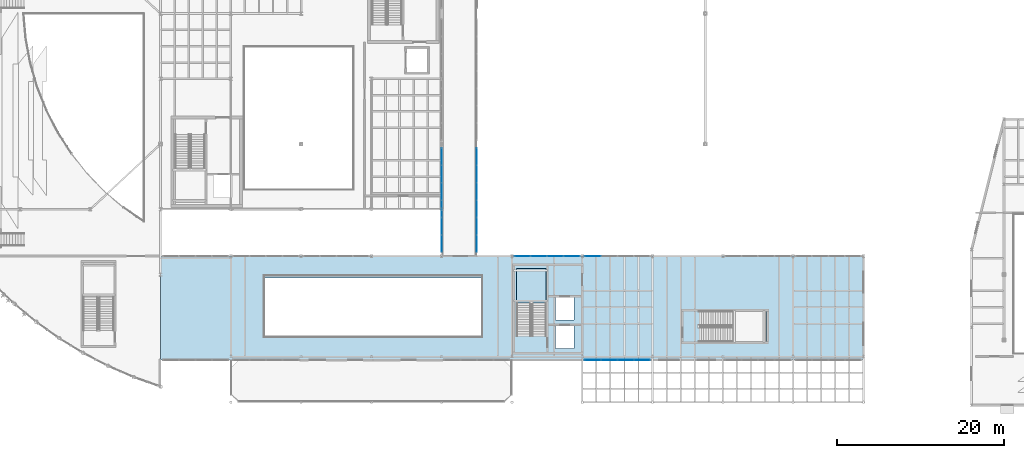
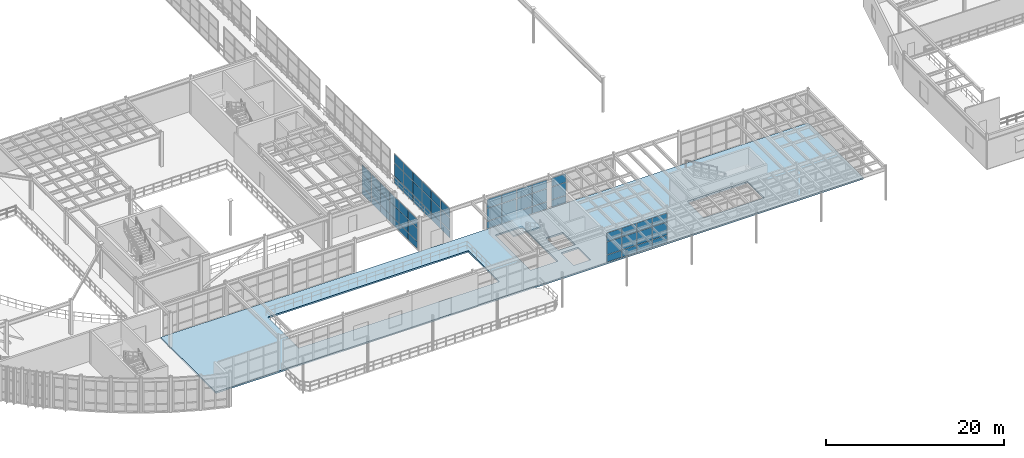
# One storey, part 84 of 116: 63 plates, 2 slabs, 6 elements without a shape of their own.
"""IFC4 building model written with IfcOpenShell, lengths in metres."""

from ifc_helpers import new_model, si_unit, direction, frame, origin, origin_2d, place, context, subcontext, project, spatial, polyline, rectangle, outline, extrude, material, layer, layer_set, type_object, element, aggregate, save


model = new_model("IFC4")

# Units and contexts
model_context = context("Model", 3, precision=1e-05, world=origin(), true_north=direction((0.0, 1.0)))
body_context = subcontext(model_context, "Body", "Model", "MODEL_VIEW")
ifc_project = project(units=[si_unit("LENGTHUNIT", "METRE"), si_unit("AREAUNIT", "SQUARE_METRE"), si_unit("VOLUMEUNIT", "CUBIC_METRE"), si_unit("PLANEANGLEUNIT", "RADIAN"), si_unit("MASSUNIT", "GRAM", prefix="KILO")], contexts=[model_context])

# Site, building, storey
site_placement = place(None, origin())
site = spatial("IfcSite", under=ifc_project, at=site_placement, CompositionType="ELEMENT")
building_placement = place(site_placement, origin())
building = spatial("IfcBuilding", under=site, at=building_placement, Name="Selat Folded Stagehouse", CompositionType="ELEMENT")
storey_placement = place(building_placement, frame((0.0, 0.0, 5.39990234375)))
storey = spatial("IfcBuildingStorey", under=building, at=storey_placement, Name="L01", CompositionType="ELEMENT", Elevation=5.39990234375)

# Curtain wall, plates
ifc_material_1 = material(Name="Aluminium 6063-T6", Category="aluminium")
ifc_layer_1 = layer(ifc_material_1, 0.195068359375)
ifc_layer_set_1 = layer_set([ifc_layer_1], Name="Aluminium 6063-T6")
curtain_wall_type_1 = type_object("IfcCurtainWallType", Name="CW-FYR-COURT", PredefinedType="NOTDEFINED", material=ifc_layer_set_1)
curtain_wall_1_placement = place(storey_placement, origin())
curtain_wall_1 = element("IfcCurtainWall", 1, at=curtain_wall_1_placement, inside=storey, type_object=curtain_wall_type_1, Name="L01 curtain wall CW-FYR-L01-10", PredefinedType="NOTDEFINED")
ifc_material_2 = material(Name="Clear laminated double glazing", Category="glass")
ifc_layer_2 = layer(ifc_material_2, 0.028076171875)
ifc_layer_set_2 = layer_set([ifc_layer_2], Name="Clear laminated double glazing")
plate_type_1 = type_object("IfcPlateType", Name="CWP-GLZ-DGU28", PredefinedType="CURTAIN_PANEL", material=ifc_layer_set_2)
plate_1_placement = place(storey_placement, frame((76.853759765625, 17.800048828125, 0.06494140625), z_axis=(0.0, 0.0, 1.0), x_axis=(1.0, 0.0, 0.0)))
plate_1 = element("IfcPlate", 2, at=plate_1_placement, type_object=plate_type_1, Name="CW-05 panel 1.1", PredefinedType="CURTAIN_PANEL", context=body_context, shape_type="SweptSolid", body=[
    extrude(rectangle(XDim=1.87744140625, YDim=0.028076171875, at=origin_2d()), origin(), (0.0, 0.0, 1.0), 0.952392578125),
])
plate_2_placement = place(storey_placement, frame((76.853759765625, 17.800048828125, 1.08251953125), z_axis=(0.0, 0.0, 1.0), x_axis=(1.0, 0.0, 0.0)))
plate_2 = element("IfcPlate", 3, at=plate_2_placement, type_object=plate_type_1, Name="CW-05 panel 1.2", PredefinedType="CURTAIN_PANEL", context=body_context, shape_type="SweptSolid", body=[
    extrude(rectangle(XDim=1.87744140625, YDim=0.028076171875, at=origin_2d()), origin(), (0.0, 0.0, 1.0), 1.735107421875),
])
plate_3_placement = place(storey_placement, frame((76.853759765625, 17.800048828125, 2.88232421875), z_axis=(0.0, 0.0, 1.0), x_axis=(1.0, 0.0, 0.0)))
plate_3 = element("IfcPlate", 4, at=plate_3_placement, type_object=plate_type_1, Name="CW-05 panel 1.3", PredefinedType="CURTAIN_PANEL", context=body_context, shape_type="SweptSolid", body=[
    extrude(rectangle(XDim=1.87744140625, YDim=0.028076171875, at=origin_2d()), origin(), (0.0, 0.0, 1.0), 1.172607421875),
])
plate_4_placement = place(storey_placement, frame((78.8125, 17.800048828125, 0.06494140625), z_axis=(0.0, 0.0, 1.0), x_axis=(1.0, 0.0, 0.0)))
plate_4 = element("IfcPlate", 5, at=plate_4_placement, type_object=plate_type_1, Name="CW-05 panel 2.1", PredefinedType="CURTAIN_PANEL", context=body_context, shape_type="SweptSolid", body=[
    extrude(rectangle(XDim=1.909912109375, YDim=0.028076171875, at=origin_2d()), origin(), (0.0, 0.0, 1.0), 0.952392578125),
])
plate_5_placement = place(storey_placement, frame((78.8125, 17.800048828125, 1.08251953125), z_axis=(0.0, 0.0, 1.0), x_axis=(1.0, 0.0, 0.0)))
plate_5 = element("IfcPlate", 6, at=plate_5_placement, type_object=plate_type_1, Name="CW-05 panel 2.2", PredefinedType="CURTAIN_PANEL", context=body_context, shape_type="SweptSolid", body=[
    extrude(rectangle(XDim=1.909912109375, YDim=0.028076171875, at=origin_2d()), origin(), (0.0, 0.0, 1.0), 1.735107421875),
])
plate_6_placement = place(storey_placement, frame((78.8125, 17.800048828125, 2.88232421875), z_axis=(0.0, 0.0, 1.0), x_axis=(1.0, 0.0, 0.0)))
plate_6 = element("IfcPlate", 7, at=plate_6_placement, type_object=plate_type_1, Name="CW-05 panel 2.3", PredefinedType="CURTAIN_PANEL", context=body_context, shape_type="SweptSolid", body=[
    extrude(rectangle(XDim=1.909912109375, YDim=0.028076171875, at=origin_2d()), origin(), (0.0, 0.0, 1.0), 1.172607421875),
])
plate_7_placement = place(storey_placement, frame((80.78759765625, 17.800048828125, 0.06494140625), z_axis=(0.0, 0.0, 1.0), x_axis=(1.0, 0.0, 0.0)))
plate_7 = element("IfcPlate", 8, at=plate_7_placement, type_object=plate_type_1, Name="CW-05 panel 3.1", PredefinedType="CURTAIN_PANEL", context=body_context, shape_type="SweptSolid", body=[
    extrude(rectangle(XDim=1.909912109375, YDim=0.028076171875, at=origin_2d()), origin(), (0.0, 0.0, 1.0), 0.952392578125),
])
plate_8_placement = place(storey_placement, frame((80.78759765625, 17.800048828125, 1.08251953125), z_axis=(0.0, 0.0, 1.0), x_axis=(1.0, 0.0, 0.0)))
plate_8 = element("IfcPlate", 9, at=plate_8_placement, type_object=plate_type_1, Name="CW-05 panel 3.2", PredefinedType="CURTAIN_PANEL", context=body_context, shape_type="SweptSolid", body=[
    extrude(rectangle(XDim=1.909912109375, YDim=0.028076171875, at=origin_2d()), origin(), (0.0, 0.0, 1.0), 1.735107421875),
])
plate_9_placement = place(storey_placement, frame((80.78759765625, 17.800048828125, 2.88232421875), z_axis=(0.0, 0.0, 1.0), x_axis=(1.0, 0.0, 0.0)))
plate_9 = element("IfcPlate", 10, at=plate_9_placement, type_object=plate_type_1, Name="CW-05 panel 3.3", PredefinedType="CURTAIN_PANEL", context=body_context, shape_type="SweptSolid", body=[
    extrude(rectangle(XDim=1.909912109375, YDim=0.028076171875, at=origin_2d()), origin(), (0.0, 0.0, 1.0), 1.172607421875),
])
plate_10_placement = place(storey_placement, frame((82.746337890625, 17.800048828125, 0.06494140625), z_axis=(0.0, 0.0, 1.0), x_axis=(1.0, 0.0, 0.0)))
plate_10 = element("IfcPlate", 11, at=plate_10_placement, type_object=plate_type_1, Name="CW-05 panel 4.1", PredefinedType="CURTAIN_PANEL", context=body_context, shape_type="SweptSolid", body=[
    extrude(rectangle(XDim=1.87744140625, YDim=0.028076171875, at=origin_2d()), origin(), (0.0, 0.0, 1.0), 0.952392578125),
])
plate_11_placement = place(storey_placement, frame((82.746337890625, 17.800048828125, 1.08251953125), z_axis=(0.0, 0.0, 1.0), x_axis=(1.0, 0.0, 0.0)))
plate_11 = element("IfcPlate", 12, at=plate_11_placement, type_object=plate_type_1, Name="CW-05 panel 4.2", PredefinedType="CURTAIN_PANEL", context=body_context, shape_type="SweptSolid", body=[
    extrude(rectangle(XDim=1.87744140625, YDim=0.028076171875, at=origin_2d()), origin(), (0.0, 0.0, 1.0), 1.735107421875),
])
plate_12_placement = place(storey_placement, frame((82.746337890625, 17.800048828125, 2.88232421875), z_axis=(0.0, 0.0, 1.0), x_axis=(1.0, 0.0, 0.0)))
plate_12 = element("IfcPlate", 13, at=plate_12_placement, type_object=plate_type_1, Name="CW-05 panel 4.3", PredefinedType="CURTAIN_PANEL", context=body_context, shape_type="SweptSolid", body=[
    extrude(rectangle(XDim=1.87744140625, YDim=0.028076171875, at=origin_2d()), origin(), (0.0, 0.0, 1.0), 1.172607421875),
])
aggregate(curtain_wall_1, [plate_1, plate_2, plate_3, plate_4, plate_5, plate_6, plate_7, plate_8, plate_9, plate_10, plate_11, plate_12])

curtain_wall_2_placement = place(storey_placement, origin())
curtain_wall_2 = element("IfcCurtainWall", 14, at=curtain_wall_2_placement, inside=storey, type_object=curtain_wall_type_1, Name="L01 curtain wall CW-FYR-L01-11", PredefinedType="NOTDEFINED")
plate_13_placement = place(storey_placement, frame((85.253662109375, 17.800048828125, 0.06494140625), z_axis=(0.0, 0.0, 1.0), x_axis=(1.0, 0.0, 0.0)))
plate_13 = element("IfcPlate", 15, at=plate_13_placement, type_object=plate_type_1, Name="CW-05 panel 1.1", PredefinedType="CURTAIN_PANEL", context=body_context, shape_type="SweptSolid", body=[
    extrude(rectangle(XDim=1.87744140625, YDim=0.028076171875, at=origin_2d()), origin(), (0.0, 0.0, 1.0), 0.952392578125),
])
plate_14_placement = place(storey_placement, frame((85.253662109375, 17.800048828125, 1.08251953125), z_axis=(0.0, 0.0, 1.0), x_axis=(1.0, 0.0, 0.0)))
plate_14 = element("IfcPlate", 16, at=plate_14_placement, type_object=plate_type_1, Name="CW-05 panel 1.2", PredefinedType="CURTAIN_PANEL", context=body_context, shape_type="SweptSolid", body=[
    extrude(rectangle(XDim=1.87744140625, YDim=0.028076171875, at=origin_2d()), origin(), (0.0, 0.0, 1.0), 1.735107421875),
])
plate_15_placement = place(storey_placement, frame((85.253662109375, 17.800048828125, 2.88232421875), z_axis=(0.0, 0.0, 1.0), x_axis=(1.0, 0.0, 0.0)))
plate_15 = element("IfcPlate", 17, at=plate_15_placement, type_object=plate_type_1, Name="CW-05 panel 1.3", PredefinedType="CURTAIN_PANEL", context=body_context, shape_type="SweptSolid", body=[
    extrude(rectangle(XDim=1.87744140625, YDim=0.028076171875, at=origin_2d()), origin(), (0.0, 0.0, 1.0), 1.172607421875),
])
aggregate(curtain_wall_2, [plate_13, plate_14, plate_15])

ifc_layer_3 = layer(ifc_material_1, 0.175048828125)
ifc_layer_set_3 = layer_set([ifc_layer_3], Name="Aluminium 6063-T6")
curtain_wall_type_2 = type_object("IfcCurtainWallType", Name="CW-BRG-GLAZ", PredefinedType="NOTDEFINED", material=ifc_layer_set_3)
curtain_wall_3_placement = place(storey_placement, origin())
curtain_wall_3 = element("IfcCurtainWall", 18, at=curtain_wall_3_placement, inside=storey, type_object=curtain_wall_type_2, Name="L01 curtain wall CW-BRG-01", PredefinedType="NOTDEFINED")
plate_16_placement = place(storey_placement, frame((67.199951171875, 19.306640625, 0.06494140625), z_axis=(0.0, 0.0, 1.0), x_axis=(0.0, 1.0, 0.0)))
plate_16 = element("IfcPlate", 19, at=plate_16_placement, type_object=plate_type_1, Name="CW-07 panel 1.1", PredefinedType="CURTAIN_PANEL", context=body_context, shape_type="SweptSolid", body=[
    extrude(rectangle(XDim=1.993408203125, YDim=0.028076171875, at=origin_2d()), origin(), (0.0, 0.0, 1.0), 0.952392578125),
])
plate_17_placement = place(storey_placement, frame((67.199951171875, 19.306640625, 1.08251953125), z_axis=(0.0, 0.0, 1.0), x_axis=(0.0, 1.0, 0.0)))
plate_17 = element("IfcPlate", 20, at=plate_17_placement, type_object=plate_type_1, Name="CW-07 panel 1.2", PredefinedType="CURTAIN_PANEL", context=body_context, shape_type="SweptSolid", body=[
    extrude(rectangle(XDim=1.993408203125, YDim=0.028076171875, at=origin_2d()), origin(), (0.0, 0.0, 1.0), 1.735107421875),
])
plate_18_placement = place(storey_placement, frame((67.199951171875, 19.306640625, 2.8828125), z_axis=(0.0, 0.0, 1.0), x_axis=(0.0, 1.0, 0.0)))
plate_18 = element("IfcPlate", 21, at=plate_18_placement, type_object=plate_type_1, Name="CW-07 panel 1.3", PredefinedType="CURTAIN_PANEL", context=body_context, shape_type="SweptSolid", body=[
    extrude(rectangle(XDim=1.993408203125, YDim=0.028076171875, at=origin_2d()), origin(), (0.0, 0.0, 1.0), 1.202392578125),
])
plate_19_placement = place(storey_placement, frame((67.199951171875, 21.375, 0.06494140625), z_axis=(0.0, 0.0, 1.0), x_axis=(0.0, 1.0, 0.0)))
plate_19 = element("IfcPlate", 22, at=plate_19_placement, type_object=plate_type_1, Name="CW-07 panel 2.1", PredefinedType="CURTAIN_PANEL", context=body_context, shape_type="SweptSolid", body=[
    extrude(rectangle(XDim=2.0234375, YDim=0.028076171875, at=origin_2d()), origin(), (0.0, 0.0, 1.0), 0.952392578125),
])
plate_20_placement = place(storey_placement, frame((67.199951171875, 21.375, 1.08251953125), z_axis=(0.0, 0.0, 1.0), x_axis=(0.0, 1.0, 0.0)))
plate_20 = element("IfcPlate", 23, at=plate_20_placement, type_object=plate_type_1, Name="CW-07 panel 2.2", PredefinedType="CURTAIN_PANEL", context=body_context, shape_type="SweptSolid", body=[
    extrude(rectangle(XDim=2.0234375, YDim=0.028076171875, at=origin_2d()), origin(), (0.0, 0.0, 1.0), 1.735107421875),
])
plate_21_placement = place(storey_placement, frame((67.199951171875, 21.375, 2.8828125), z_axis=(0.0, 0.0, 1.0), x_axis=(0.0, 1.0, 0.0)))
plate_21 = element("IfcPlate", 24, at=plate_21_placement, type_object=plate_type_1, Name="CW-07 panel 2.3", PredefinedType="CURTAIN_PANEL", context=body_context, shape_type="SweptSolid", body=[
    extrude(rectangle(XDim=2.0234375, YDim=0.028076171875, at=origin_2d()), origin(), (0.0, 0.0, 1.0), 1.202392578125),
])
plate_22_placement = place(storey_placement, frame((67.199951171875, 23.458251953125, 0.06494140625), z_axis=(0.0, 0.0, 1.0), x_axis=(0.0, 1.0, 0.0)))
plate_22 = element("IfcPlate", 25, at=plate_22_placement, type_object=plate_type_1, Name="CW-07 panel 3.1", PredefinedType="CURTAIN_PANEL", context=body_context, shape_type="SweptSolid", body=[
    extrude(rectangle(XDim=2.0234375, YDim=0.028076171875, at=origin_2d()), origin(), (0.0, 0.0, 1.0), 0.952392578125),
])
plate_23_placement = place(storey_placement, frame((67.199951171875, 23.458251953125, 1.08251953125), z_axis=(0.0, 0.0, 1.0), x_axis=(0.0, 1.0, 0.0)))
plate_23 = element("IfcPlate", 26, at=plate_23_placement, type_object=plate_type_1, Name="CW-07 panel 3.2", PredefinedType="CURTAIN_PANEL", context=body_context, shape_type="SweptSolid", body=[
    extrude(rectangle(XDim=2.0234375, YDim=0.028076171875, at=origin_2d()), origin(), (0.0, 0.0, 1.0), 1.735107421875),
])
plate_24_placement = place(storey_placement, frame((67.199951171875, 23.458251953125, 2.8828125), z_axis=(0.0, 0.0, 1.0), x_axis=(0.0, 1.0, 0.0)))
plate_24 = element("IfcPlate", 27, at=plate_24_placement, type_object=plate_type_1, Name="CW-07 panel 3.3", PredefinedType="CURTAIN_PANEL", context=body_context, shape_type="SweptSolid", body=[
    extrude(rectangle(XDim=2.0234375, YDim=0.028076171875, at=origin_2d()), origin(), (0.0, 0.0, 1.0), 1.202392578125),
])
plate_25_placement = place(storey_placement, frame((67.199951171875, 25.541748046875, 0.06494140625), z_axis=(0.0, 0.0, 1.0), x_axis=(0.0, 1.0, 0.0)))
plate_25 = element("IfcPlate", 28, at=plate_25_placement, type_object=plate_type_1, Name="CW-07 panel 4.1", PredefinedType="CURTAIN_PANEL", context=body_context, shape_type="SweptSolid", body=[
    extrude(rectangle(XDim=2.0234375, YDim=0.028076171875, at=origin_2d()), origin(), (0.0, 0.0, 1.0), 0.952392578125),
])
plate_26_placement = place(storey_placement, frame((67.199951171875, 25.541748046875, 1.08251953125), z_axis=(0.0, 0.0, 1.0), x_axis=(0.0, 1.0, 0.0)))
plate_26 = element("IfcPlate", 29, at=plate_26_placement, type_object=plate_type_1, Name="CW-07 panel 4.2", PredefinedType="CURTAIN_PANEL", context=body_context, shape_type="SweptSolid", body=[
    extrude(rectangle(XDim=2.0234375, YDim=0.028076171875, at=origin_2d()), origin(), (0.0, 0.0, 1.0), 1.735107421875),
])
plate_27_placement = place(storey_placement, frame((67.199951171875, 25.541748046875, 2.8828125), z_axis=(0.0, 0.0, 1.0), x_axis=(0.0, 1.0, 0.0)))
plate_27 = element("IfcPlate", 30, at=plate_27_placement, type_object=plate_type_1, Name="CW-07 panel 4.3", PredefinedType="CURTAIN_PANEL", context=body_context, shape_type="SweptSolid", body=[
    extrude(rectangle(XDim=2.0234375, YDim=0.028076171875, at=origin_2d()), origin(), (0.0, 0.0, 1.0), 1.202392578125),
])
plate_28_placement = place(storey_placement, frame((67.199951171875, 27.625, 0.06494140625), z_axis=(0.0, 0.0, 1.0), x_axis=(0.0, 1.0, 0.0)))
plate_28 = element("IfcPlate", 31, at=plate_28_placement, type_object=plate_type_1, Name="CW-07 panel 5.1", PredefinedType="CURTAIN_PANEL", context=body_context, shape_type="SweptSolid", body=[
    extrude(rectangle(XDim=2.0234375, YDim=0.028076171875, at=origin_2d()), origin(), (0.0, 0.0, 1.0), 0.952392578125),
])
plate_29_placement = place(storey_placement, frame((67.199951171875, 27.625, 1.08251953125), z_axis=(0.0, 0.0, 1.0), x_axis=(0.0, 1.0, 0.0)))
plate_29 = element("IfcPlate", 32, at=plate_29_placement, type_object=plate_type_1, Name="CW-07 panel 5.2", PredefinedType="CURTAIN_PANEL", context=body_context, shape_type="SweptSolid", body=[
    extrude(rectangle(XDim=2.0234375, YDim=0.028076171875, at=origin_2d()), origin(), (0.0, 0.0, 1.0), 1.735107421875),
])
plate_30_placement = place(storey_placement, frame((67.199951171875, 27.625, 2.8828125), z_axis=(0.0, 0.0, 1.0), x_axis=(0.0, 1.0, 0.0)))
plate_30 = element("IfcPlate", 33, at=plate_30_placement, type_object=plate_type_1, Name="CW-07 panel 5.3", PredefinedType="CURTAIN_PANEL", context=body_context, shape_type="SweptSolid", body=[
    extrude(rectangle(XDim=2.0234375, YDim=0.028076171875, at=origin_2d()), origin(), (0.0, 0.0, 1.0), 1.202392578125),
])
plate_31_placement = place(storey_placement, frame((67.199951171875, 29.693359375, 0.06494140625), z_axis=(0.0, 0.0, 1.0), x_axis=(0.0, 1.0, 0.0)))
plate_31 = element("IfcPlate", 34, at=plate_31_placement, type_object=plate_type_1, Name="CW-07 panel 6.1", PredefinedType="CURTAIN_PANEL", context=body_context, shape_type="SweptSolid", body=[
    extrude(rectangle(XDim=1.993408203125, YDim=0.028076171875, at=origin_2d()), origin(), (0.0, 0.0, 1.0), 0.952392578125),
])
plate_32_placement = place(storey_placement, frame((67.199951171875, 29.693359375, 1.08251953125), z_axis=(0.0, 0.0, 1.0), x_axis=(0.0, 1.0, 0.0)))
plate_32 = element("IfcPlate", 35, at=plate_32_placement, type_object=plate_type_1, Name="CW-07 panel 6.2", PredefinedType="CURTAIN_PANEL", context=body_context, shape_type="SweptSolid", body=[
    extrude(rectangle(XDim=1.993408203125, YDim=0.028076171875, at=origin_2d()), origin(), (0.0, 0.0, 1.0), 1.735107421875),
])
plate_33_placement = place(storey_placement, frame((67.199951171875, 29.693359375, 2.8828125), z_axis=(0.0, 0.0, 1.0), x_axis=(0.0, 1.0, 0.0)))
plate_33 = element("IfcPlate", 36, at=plate_33_placement, type_object=plate_type_1, Name="CW-07 panel 6.3", PredefinedType="CURTAIN_PANEL", context=body_context, shape_type="SweptSolid", body=[
    extrude(rectangle(XDim=1.993408203125, YDim=0.028076171875, at=origin_2d()), origin(), (0.0, 0.0, 1.0), 1.202392578125),
])
aggregate(curtain_wall_3, [plate_16, plate_17, plate_18, plate_19, plate_20, plate_21, plate_22, plate_23, plate_24, plate_25, plate_26, plate_27, plate_28, plate_29, plate_30, plate_31, plate_32, plate_33])

curtain_wall_4_placement = place(storey_placement, origin())
curtain_wall_4 = element("IfcCurtainWall", 37, at=curtain_wall_4_placement, inside=storey, type_object=curtain_wall_type_2, Name="L01 curtain wall CW-BRG-06", PredefinedType="NOTDEFINED")
plate_34_placement = place(storey_placement, frame((71.39990234375, 29.693359375, 0.06494140625), z_axis=(0.0, 0.0, 1.0), x_axis=(0.0, -1.0, 0.0)))
plate_34 = element("IfcPlate", 38, at=plate_34_placement, type_object=plate_type_1, Name="CW-07 panel 1.1", PredefinedType="CURTAIN_PANEL", context=body_context, shape_type="SweptSolid", body=[
    extrude(rectangle(XDim=1.993408203125, YDim=0.028076171875, at=origin_2d()), origin(), (0.0, 0.0, 1.0), 0.952392578125),
])
plate_35_placement = place(storey_placement, frame((71.39990234375, 29.693359375, 1.08251953125), z_axis=(0.0, 0.0, 1.0), x_axis=(0.0, -1.0, 0.0)))
plate_35 = element("IfcPlate", 39, at=plate_35_placement, type_object=plate_type_1, Name="CW-07 panel 1.2", PredefinedType="CURTAIN_PANEL", context=body_context, shape_type="SweptSolid", body=[
    extrude(rectangle(XDim=1.993408203125, YDim=0.028076171875, at=origin_2d()), origin(), (0.0, 0.0, 1.0), 1.735107421875),
])
plate_36_placement = place(storey_placement, frame((71.39990234375, 29.693359375, 2.8828125), z_axis=(0.0, 0.0, 1.0), x_axis=(0.0, -1.0, 0.0)))
plate_36 = element("IfcPlate", 40, at=plate_36_placement, type_object=plate_type_1, Name="CW-07 panel 1.3", PredefinedType="CURTAIN_PANEL", context=body_context, shape_type="SweptSolid", body=[
    extrude(rectangle(XDim=1.993408203125, YDim=0.028076171875, at=origin_2d()), origin(), (0.0, 0.0, 1.0), 1.202392578125),
])
plate_37_placement = place(storey_placement, frame((71.39990234375, 27.625, 0.06494140625), z_axis=(0.0, 0.0, 1.0), x_axis=(0.0, -1.0, 0.0)))
plate_37 = element("IfcPlate", 41, at=plate_37_placement, type_object=plate_type_1, Name="CW-07 panel 2.1", PredefinedType="CURTAIN_PANEL", context=body_context, shape_type="SweptSolid", body=[
    extrude(rectangle(XDim=2.0234375, YDim=0.028076171875, at=origin_2d()), origin(), (0.0, 0.0, 1.0), 0.952392578125),
])
plate_38_placement = place(storey_placement, frame((71.39990234375, 27.625, 1.08251953125), z_axis=(0.0, 0.0, 1.0), x_axis=(0.0, -1.0, 0.0)))
plate_38 = element("IfcPlate", 42, at=plate_38_placement, type_object=plate_type_1, Name="CW-07 panel 2.2", PredefinedType="CURTAIN_PANEL", context=body_context, shape_type="SweptSolid", body=[
    extrude(rectangle(XDim=2.0234375, YDim=0.028076171875, at=origin_2d()), origin(), (0.0, 0.0, 1.0), 1.735107421875),
])
plate_39_placement = place(storey_placement, frame((71.39990234375, 27.625, 2.8828125), z_axis=(0.0, 0.0, 1.0), x_axis=(0.0, -1.0, 0.0)))
plate_39 = element("IfcPlate", 43, at=plate_39_placement, type_object=plate_type_1, Name="CW-07 panel 2.3", PredefinedType="CURTAIN_PANEL", context=body_context, shape_type="SweptSolid", body=[
    extrude(rectangle(XDim=2.0234375, YDim=0.028076171875, at=origin_2d()), origin(), (0.0, 0.0, 1.0), 1.202392578125),
])
plate_40_placement = place(storey_placement, frame((71.39990234375, 25.541748046875, 0.06494140625), z_axis=(0.0, 0.0, 1.0), x_axis=(0.0, -1.0, 0.0)))
plate_40 = element("IfcPlate", 44, at=plate_40_placement, type_object=plate_type_1, Name="CW-07 panel 3.1", PredefinedType="CURTAIN_PANEL", context=body_context, shape_type="SweptSolid", body=[
    extrude(rectangle(XDim=2.0234375, YDim=0.028076171875, at=origin_2d()), origin(), (0.0, 0.0, 1.0), 0.952392578125),
])
plate_41_placement = place(storey_placement, frame((71.39990234375, 25.541748046875, 1.08251953125), z_axis=(0.0, 0.0, 1.0), x_axis=(0.0, -1.0, 0.0)))
plate_41 = element("IfcPlate", 45, at=plate_41_placement, type_object=plate_type_1, Name="CW-07 panel 3.2", PredefinedType="CURTAIN_PANEL", context=body_context, shape_type="SweptSolid", body=[
    extrude(rectangle(XDim=2.0234375, YDim=0.028076171875, at=origin_2d()), origin(), (0.0, 0.0, 1.0), 1.735107421875),
])
plate_42_placement = place(storey_placement, frame((71.39990234375, 25.541748046875, 2.8828125), z_axis=(0.0, 0.0, 1.0), x_axis=(0.0, -1.0, 0.0)))
plate_42 = element("IfcPlate", 46, at=plate_42_placement, type_object=plate_type_1, Name="CW-07 panel 3.3", PredefinedType="CURTAIN_PANEL", context=body_context, shape_type="SweptSolid", body=[
    extrude(rectangle(XDim=2.0234375, YDim=0.028076171875, at=origin_2d()), origin(), (0.0, 0.0, 1.0), 1.202392578125),
])
plate_43_placement = place(storey_placement, frame((71.39990234375, 23.458251953125, 0.06494140625), z_axis=(0.0, 0.0, 1.0), x_axis=(0.0, -1.0, 0.0)))
plate_43 = element("IfcPlate", 47, at=plate_43_placement, type_object=plate_type_1, Name="CW-07 panel 4.1", PredefinedType="CURTAIN_PANEL", context=body_context, shape_type="SweptSolid", body=[
    extrude(rectangle(XDim=2.0234375, YDim=0.028076171875, at=origin_2d()), origin(), (0.0, 0.0, 1.0), 0.952392578125),
])
plate_44_placement = place(storey_placement, frame((71.39990234375, 23.458251953125, 1.08251953125), z_axis=(0.0, 0.0, 1.0), x_axis=(0.0, -1.0, 0.0)))
plate_44 = element("IfcPlate", 48, at=plate_44_placement, type_object=plate_type_1, Name="CW-07 panel 4.2", PredefinedType="CURTAIN_PANEL", context=body_context, shape_type="SweptSolid", body=[
    extrude(rectangle(XDim=2.0234375, YDim=0.028076171875, at=origin_2d()), origin(), (0.0, 0.0, 1.0), 1.735107421875),
])
plate_45_placement = place(storey_placement, frame((71.39990234375, 23.458251953125, 2.8828125), z_axis=(0.0, 0.0, 1.0), x_axis=(0.0, -1.0, 0.0)))
plate_45 = element("IfcPlate", 49, at=plate_45_placement, type_object=plate_type_1, Name="CW-07 panel 4.3", PredefinedType="CURTAIN_PANEL", context=body_context, shape_type="SweptSolid", body=[
    extrude(rectangle(XDim=2.0234375, YDim=0.028076171875, at=origin_2d()), origin(), (0.0, 0.0, 1.0), 1.202392578125),
])
plate_46_placement = place(storey_placement, frame((71.39990234375, 21.375, 0.06494140625), z_axis=(0.0, 0.0, 1.0), x_axis=(0.0, -1.0, 0.0)))
plate_46 = element("IfcPlate", 50, at=plate_46_placement, type_object=plate_type_1, Name="CW-07 panel 5.1", PredefinedType="CURTAIN_PANEL", context=body_context, shape_type="SweptSolid", body=[
    extrude(rectangle(XDim=2.0234375, YDim=0.028076171875, at=origin_2d()), origin(), (0.0, 0.0, 1.0), 0.952392578125),
])
plate_47_placement = place(storey_placement, frame((71.39990234375, 21.375, 1.08251953125), z_axis=(0.0, 0.0, 1.0), x_axis=(0.0, -1.0, 0.0)))
plate_47 = element("IfcPlate", 51, at=plate_47_placement, type_object=plate_type_1, Name="CW-07 panel 5.2", PredefinedType="CURTAIN_PANEL", context=body_context, shape_type="SweptSolid", body=[
    extrude(rectangle(XDim=2.0234375, YDim=0.028076171875, at=origin_2d()), origin(), (0.0, 0.0, 1.0), 1.735107421875),
])
plate_48_placement = place(storey_placement, frame((71.39990234375, 21.375, 2.8828125), z_axis=(0.0, 0.0, 1.0), x_axis=(0.0, -1.0, 0.0)))
plate_48 = element("IfcPlate", 52, at=plate_48_placement, type_object=plate_type_1, Name="CW-07 panel 5.3", PredefinedType="CURTAIN_PANEL", context=body_context, shape_type="SweptSolid", body=[
    extrude(rectangle(XDim=2.0234375, YDim=0.028076171875, at=origin_2d()), origin(), (0.0, 0.0, 1.0), 1.202392578125),
])
plate_49_placement = place(storey_placement, frame((71.39990234375, 19.306640625, 0.06494140625), z_axis=(0.0, 0.0, 1.0), x_axis=(0.0, -1.0, 0.0)))
plate_49 = element("IfcPlate", 53, at=plate_49_placement, type_object=plate_type_1, Name="CW-07 panel 6.1", PredefinedType="CURTAIN_PANEL", context=body_context, shape_type="SweptSolid", body=[
    extrude(rectangle(XDim=1.993408203125, YDim=0.028076171875, at=origin_2d()), origin(), (0.0, 0.0, 1.0), 0.952392578125),
])
plate_50_placement = place(storey_placement, frame((71.39990234375, 19.306640625, 1.08251953125), z_axis=(0.0, 0.0, 1.0), x_axis=(0.0, -1.0, 0.0)))
plate_50 = element("IfcPlate", 54, at=plate_50_placement, type_object=plate_type_1, Name="CW-07 panel 6.2", PredefinedType="CURTAIN_PANEL", context=body_context, shape_type="SweptSolid", body=[
    extrude(rectangle(XDim=1.993408203125, YDim=0.028076171875, at=origin_2d()), origin(), (0.0, 0.0, 1.0), 1.735107421875),
])
plate_51_placement = place(storey_placement, frame((71.39990234375, 19.306640625, 2.8828125), z_axis=(0.0, 0.0, 1.0), x_axis=(0.0, -1.0, 0.0)))
plate_51 = element("IfcPlate", 55, at=plate_51_placement, type_object=plate_type_1, Name="CW-07 panel 6.3", PredefinedType="CURTAIN_PANEL", context=body_context, shape_type="SweptSolid", body=[
    extrude(rectangle(XDim=1.993408203125, YDim=0.028076171875, at=origin_2d()), origin(), (0.0, 0.0, 1.0), 1.202392578125),
])
aggregate(curtain_wall_4, [plate_34, plate_35, plate_36, plate_37, plate_38, plate_39, plate_40, plate_41, plate_42, plate_43, plate_44, plate_45, plate_46, plate_47, plate_48, plate_49, plate_50, plate_51])

ifc_layer_4 = layer(ifc_material_1, 0.2099609375)
ifc_layer_set_4 = layer_set([ifc_layer_4], Name="Aluminium 6063-T6")
curtain_wall_type_3 = type_object("IfcCurtainWallType", Name="CW-FYR-SOUTH", PredefinedType="NOTDEFINED", material=ifc_layer_set_4)
curtain_wall_5_placement = place(storey_placement, origin())
curtain_wall_5 = element("IfcCurtainWall", 56, at=curtain_wall_5_placement, inside=storey, type_object=curtain_wall_type_3, Name="L01 curtain wall CW-FYR-L01-04", PredefinedType="NOTDEFINED")
ifc_material_3 = material(Name="Acoustic laminated double glazing", Category="glass")
ifc_layer_5 = layer(ifc_material_3, 0.035888671875)
ifc_layer_set_5 = layer_set([ifc_layer_5], Name="Acoustic laminated double glazing")
plate_type_2 = type_object("IfcPlateType", Name="CWP-GLZ-DGU36", PredefinedType="CURTAIN_PANEL", material=ifc_layer_set_5)
plate_52_placement = place(storey_placement, frame((91.146240234375, 5.39990234375, 0.06494140625), z_axis=(0.0, 0.0, 1.0), x_axis=(-1.0, 0.0, 0.0)))
plate_52 = element("IfcPlate", 57, at=plate_52_placement, type_object=plate_type_2, Name="CW-04 panel 1.1", PredefinedType="CURTAIN_PANEL", context=body_context, shape_type="SweptSolid", body=[
    extrude(rectangle(XDim=1.87744140625, YDim=0.035888671875, at=origin_2d()), origin(), (0.0, 0.0, 1.0), 0.952392578125),
])
plate_53_placement = place(storey_placement, frame((91.146240234375, 5.39990234375, 1.08251953125), z_axis=(0.0, 0.0, 1.0), x_axis=(-1.0, 0.0, 0.0)))
plate_53 = element("IfcPlate", 58, at=plate_53_placement, type_object=plate_type_2, Name="CW-04 panel 1.2", PredefinedType="CURTAIN_PANEL", context=body_context, shape_type="SweptSolid", body=[
    extrude(rectangle(XDim=1.87744140625, YDim=0.035888671875, at=origin_2d()), origin(), (0.0, 0.0, 1.0), 1.735107421875),
])
plate_54_placement = place(storey_placement, frame((91.146240234375, 5.39990234375, 2.88232421875), z_axis=(0.0, 0.0, 1.0), x_axis=(-1.0, 0.0, 0.0)))
plate_54 = element("IfcPlate", 59, at=plate_54_placement, type_object=plate_type_2, Name="CW-04 panel 1.3", PredefinedType="CURTAIN_PANEL", context=body_context, shape_type="SweptSolid", body=[
    extrude(rectangle(XDim=1.87744140625, YDim=0.035888671875, at=origin_2d()), origin(), (0.0, 0.0, 1.0), 1.172607421875),
])
plate_55_placement = place(storey_placement, frame((89.1875, 5.39990234375, 0.06494140625), z_axis=(0.0, 0.0, 1.0), x_axis=(-1.0, 0.0, 0.0)))
plate_55 = element("IfcPlate", 60, at=plate_55_placement, type_object=plate_type_2, Name="CW-04 panel 2.1", PredefinedType="CURTAIN_PANEL", context=body_context, shape_type="SweptSolid", body=[
    extrude(rectangle(XDim=1.909912109375, YDim=0.035888671875, at=origin_2d()), origin(), (0.0, 0.0, 1.0), 0.952392578125),
])
plate_56_placement = place(storey_placement, frame((89.1875, 5.39990234375, 1.08251953125), z_axis=(0.0, 0.0, 1.0), x_axis=(-1.0, 0.0, 0.0)))
plate_56 = element("IfcPlate", 61, at=plate_56_placement, type_object=plate_type_2, Name="CW-04 panel 2.2", PredefinedType="CURTAIN_PANEL", context=body_context, shape_type="SweptSolid", body=[
    extrude(rectangle(XDim=1.909912109375, YDim=0.035888671875, at=origin_2d()), origin(), (0.0, 0.0, 1.0), 1.735107421875),
])
plate_57_placement = place(storey_placement, frame((89.1875, 5.39990234375, 2.88232421875), z_axis=(0.0, 0.0, 1.0), x_axis=(-1.0, 0.0, 0.0)))
plate_57 = element("IfcPlate", 62, at=plate_57_placement, type_object=plate_type_2, Name="CW-04 panel 2.3", PredefinedType="CURTAIN_PANEL", context=body_context, shape_type="SweptSolid", body=[
    extrude(rectangle(XDim=1.909912109375, YDim=0.035888671875, at=origin_2d()), origin(), (0.0, 0.0, 1.0), 1.172607421875),
])
plate_58_placement = place(storey_placement, frame((87.21240234375, 5.39990234375, 0.06494140625), z_axis=(0.0, 0.0, 1.0), x_axis=(-1.0, 0.0, 0.0)))
plate_58 = element("IfcPlate", 63, at=plate_58_placement, type_object=plate_type_2, Name="CW-04 panel 3.1", PredefinedType="CURTAIN_PANEL", context=body_context, shape_type="SweptSolid", body=[
    extrude(rectangle(XDim=1.909912109375, YDim=0.035888671875, at=origin_2d()), origin(), (0.0, 0.0, 1.0), 0.952392578125),
])
plate_59_placement = place(storey_placement, frame((87.21240234375, 5.39990234375, 1.08251953125), z_axis=(0.0, 0.0, 1.0), x_axis=(-1.0, 0.0, 0.0)))
plate_59 = element("IfcPlate", 64, at=plate_59_placement, type_object=plate_type_2, Name="CW-04 panel 3.2", PredefinedType="CURTAIN_PANEL", context=body_context, shape_type="SweptSolid", body=[
    extrude(rectangle(XDim=1.909912109375, YDim=0.035888671875, at=origin_2d()), origin(), (0.0, 0.0, 1.0), 1.735107421875),
])
plate_60_placement = place(storey_placement, frame((87.21240234375, 5.39990234375, 2.88232421875), z_axis=(0.0, 0.0, 1.0), x_axis=(-1.0, 0.0, 0.0)))
plate_60 = element("IfcPlate", 65, at=plate_60_placement, type_object=plate_type_2, Name="CW-04 panel 3.3", PredefinedType="CURTAIN_PANEL", context=body_context, shape_type="SweptSolid", body=[
    extrude(rectangle(XDim=1.909912109375, YDim=0.035888671875, at=origin_2d()), origin(), (0.0, 0.0, 1.0), 1.172607421875),
])
plate_61_placement = place(storey_placement, frame((85.253662109375, 5.39990234375, 0.06494140625), z_axis=(0.0, 0.0, 1.0), x_axis=(-1.0, 0.0, 0.0)))
plate_61 = element("IfcPlate", 66, at=plate_61_placement, type_object=plate_type_2, Name="CW-04 panel 4.1", PredefinedType="CURTAIN_PANEL", context=body_context, shape_type="SweptSolid", body=[
    extrude(rectangle(XDim=1.87744140625, YDim=0.035888671875, at=origin_2d()), origin(), (0.0, 0.0, 1.0), 0.952392578125),
])
plate_62_placement = place(storey_placement, frame((85.253662109375, 5.39990234375, 1.08251953125), z_axis=(0.0, 0.0, 1.0), x_axis=(-1.0, 0.0, 0.0)))
plate_62 = element("IfcPlate", 67, at=plate_62_placement, type_object=plate_type_2, Name="CW-04 panel 4.2", PredefinedType="CURTAIN_PANEL", context=body_context, shape_type="SweptSolid", body=[
    extrude(rectangle(XDim=1.87744140625, YDim=0.035888671875, at=origin_2d()), origin(), (0.0, 0.0, 1.0), 1.735107421875),
])
plate_63_placement = place(storey_placement, frame((85.253662109375, 5.39990234375, 2.88232421875), z_axis=(0.0, 0.0, 1.0), x_axis=(-1.0, 0.0, 0.0)))
plate_63 = element("IfcPlate", 68, at=plate_63_placement, type_object=plate_type_2, Name="CW-04 panel 4.3", PredefinedType="CURTAIN_PANEL", context=body_context, shape_type="SweptSolid", body=[
    extrude(rectangle(XDim=1.87744140625, YDim=0.035888671875, at=origin_2d()), origin(), (0.0, 0.0, 1.0), 1.172607421875),
])
aggregate(curtain_wall_5, [plate_52, plate_53, plate_54, plate_55, plate_56, plate_57, plate_58, plate_59, plate_60, plate_61, plate_62, plate_63])

# Slab
ifc_material_4 = material(Name="Concrete C40/50", Category="concrete")
ifc_layer_6 = layer(ifc_material_4, 0.219970703125)
ifc_layer_set_6 = layer_set([ifc_layer_6], Name="Concrete C40/50")
slab_type_1 = type_object("IfcSlabType", Name="SLAB-FLR-220", PredefinedType="FLOOR", material=ifc_layer_set_6)
slab_1_placement = place(storey_placement, frame((0.0, 0.0, -0.219970703125)))
element("IfcSlab", 69, at=slab_1_placement, inside=storey, type_object=slab_type_1, Name="L01 V5 floor slab SL-L01-V5", PredefinedType="FLOOR", context=body_context, shape_type="SweptSolid", body=[
    extrude(outline(polyline([(33.60009765625, 5.39990234375), (117.60009765625, 5.39990234375), (117.60009765625, 17.800048828125), (33.60009765625, 17.800048828125), (33.60009765625, 5.39990234375)]), holes=[polyline([(80.800048828125, 6.800048828125), (80.800048828125, 9.60009765625), (83.0, 9.60009765625), (83.0, 6.800048828125), (80.800048828125, 6.800048828125)]), polyline([(98.10009765625, 7.56005859375), (98.10009765625, 11.239990234375), (105.97998046875, 11.239990234375), (105.97998046875, 7.56005859375), (98.10009765625, 7.56005859375)]), polyline([(80.800048828125, 10.199951171875), (80.800048828125, 13.0), (83.0, 13.0), (83.0, 10.199951171875), (80.800048828125, 10.199951171875)]), polyline([(46.0, 8.199951171875), (46.0, 15.199951171875), (72.0, 15.199951171875), (72.0, 8.199951171875), (46.0, 8.199951171875)]), polyline([(76.159912109375, 16.35009765625), (79.679931640625, 16.35009765625), (79.679931640625, 8.389892578125), (76.159912109375, 8.389892578125), (76.159912109375, 16.35009765625)])]), origin(), (0.0, 0.0, 1.0), 0.219970703125),
])

# Stair, slab
stair_type = type_object("IfcStairType", Name="STR-DOG-1680-30R", PredefinedType="HALF_TURN_STAIR", material=ifc_material_4)
stair_placement = place(storey_placement, origin())
stair = element("IfcStair", 70, at=stair_placement, inside=storey, type_object=stair_type, Name="L01 Core 3 Foyer South Core", PredefinedType="HALF_TURN_STAIR")
ifc_layer_7 = layer(ifc_material_4, 0.199951171875)
ifc_layer_set_7 = layer_set([ifc_layer_7], Name="Concrete C40/50")
slab_type_2 = type_object("IfcSlabType", Name="SLAB-STR-LDG-200", PredefinedType="LANDING", material=ifc_layer_set_7)
slab_2_placement = place(storey_placement, frame((0.0, 0.0, 2.2001953125)))
slab_2 = element("IfcSlab", 71, at=slab_2_placement, type_object=slab_type_2, Name="ST-1680-30R landing 1", PredefinedType="LANDING", context=body_context, shape_type="SweptSolid", body=[
    extrude(outline(polyline([(79.679931640625, 12.219970703125), (79.679931640625, 16.35009765625), (76.159912109375, 16.35009765625), (76.159912109375, 12.219970703125), (79.679931640625, 12.219970703125)])), origin(), (0.0, 0.0, 1.0), 0.199951171875),
])
aggregate(stair, [slab_2])

save(model, "model.ifc")
